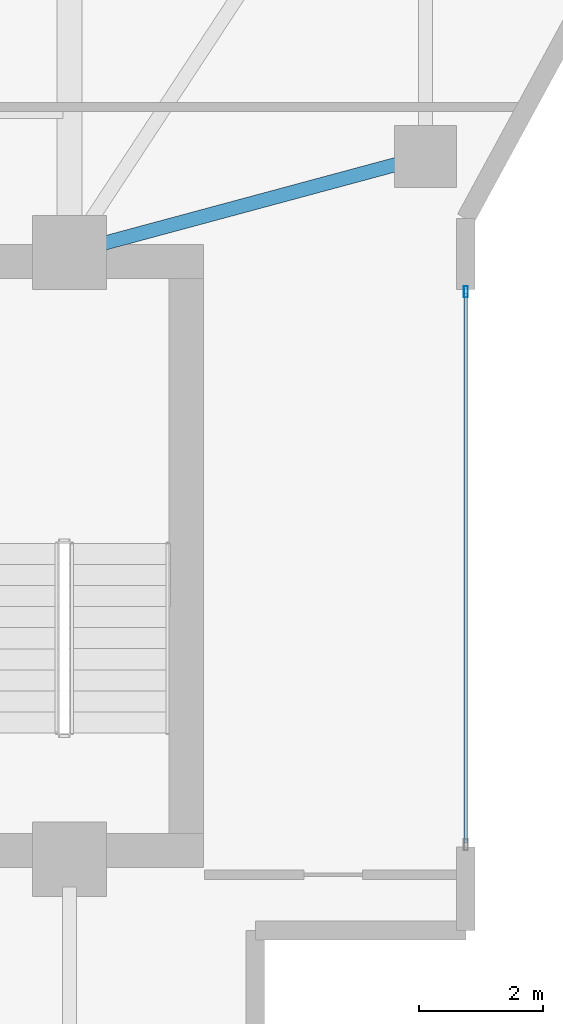
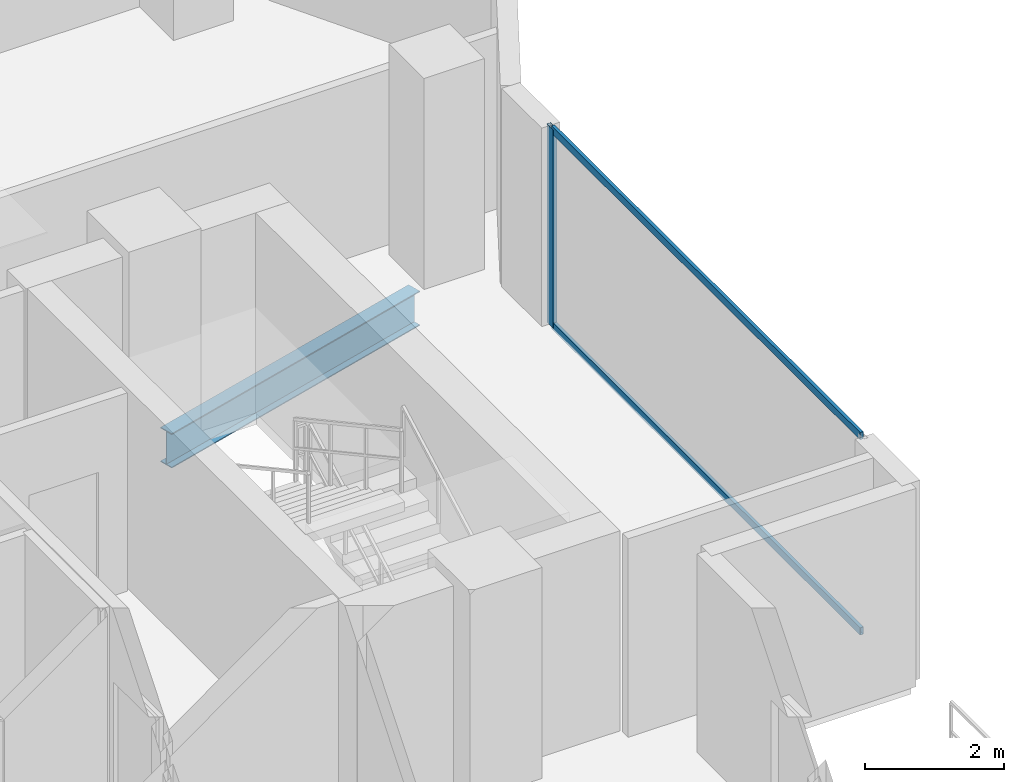
# One storey, part 9 of 25: 3 members, 1 beam, 1 element without a shape of its own.
"""IFC4 building model written with IfcOpenShell, lengths in metres."""

from ifc_helpers import new_model, si_unit, direction, frame, origin, origin_2d, place, context, subcontext, project, spatial, hollow_rectangle, i_section, extrude, material, layer, layer_set, material_profile, profile_set, type_object, element, aggregate, save


model = new_model("IFC4")

# Units and contexts
model_context = context("Model", 3, precision=1e-05, world=origin(), true_north=direction((0.0, 1.0)))
body_context = subcontext(model_context, "Body", "Model", "MODEL_VIEW")
ifc_project = project(units=[si_unit("LENGTHUNIT", "METRE"), si_unit("AREAUNIT", "SQUARE_METRE"), si_unit("VOLUMEUNIT", "CUBIC_METRE"), si_unit("PLANEANGLEUNIT", "RADIAN"), si_unit("MASSUNIT", "GRAM", prefix="KILO")], contexts=[model_context])

# Site, building, storey
site_placement = place(None, origin())
site = spatial("IfcSite", under=ifc_project, at=site_placement, CompositionType="ELEMENT")
building_placement = place(site_placement, origin())
building = spatial("IfcBuilding", under=site, at=building_placement, Name="Zuhayl Quay Hotel", CompositionType="ELEMENT")
storey_placement = place(building_placement, frame((0.0, 0.0, 258.14990234375)))
storey = spatial("IfcBuildingStorey", under=building, at=storey_placement, Name="L65", CompositionType="ELEMENT", Elevation=258.14990234375)

# Beam
ifc_material_1 = material(Name="Steel ASTM A992 Grade 50", Category="steel")
ifc_material_profile_1 = material_profile(ifc_material_1, i_section(OverallWidth=0.22802734375, OverallDepth=0.60693359375, WebThickness=0.01123046875, FlangeThickness=0.017333984375, at=origin_2d()), Name="W24X76")
ifc_profile_set_1 = profile_set([ifc_material_profile_1], Name="Steel ASTM A992 Grade 50")
beam_type = type_object("IfcBeamType", Name="BM_B3_W24X76", PredefinedType="BEAM", material=ifc_profile_set_1)
beam_placement = place(storey_placement, frame((14.234619140625, 14.467041015625, -0.5234375), z_axis=(0.965530205773, 0.26029103277, 0.0), x_axis=(-0.26029103277, 0.965530205773, 0.0)))
element("IfcBeam", 1, at=beam_placement, inside=storey, type_object=beam_type, Name="L65 Floor Beam FG_E_L65_1", PredefinedType="BEAM", context=body_context, shape_type="SweptSolid", body=[
    extrude(i_section(OverallWidth=0.22802734375, OverallDepth=0.60693359375, WebThickness=0.01123046875, FlangeThickness=0.017333984375, at=origin_2d()), origin(), (0.0, 0.0, 1.0), 5.045166015625),
])

# Curtain wall, members
ifc_material_2 = material(Name="Anodised Aluminium 6063-T6", Category="aluminium")
ifc_layer = layer(ifc_material_2, 0.169921875, Name="Anodised Aluminium 6063-T6", Category="aluminium")
ifc_layer_set = layer_set([ifc_layer], Name="Anodised Aluminium 6063-T6")
curtain_wall_type = type_object("IfcCurtainWallType", Name="CW_SYS_Z4", PredefinedType="USERDEFINED", material=ifc_layer_set)
curtain_wall_placement = place(storey_placement, origin())
curtain_wall = element("IfcCurtainWall", 2, at=curtain_wall_placement, inside=storey, type_object=curtain_wall_type, Name="L65 Curtain Wall ENV_L65_E14_CW1", ObjectType="UNITISED CURTAIN WALL", PredefinedType="USERDEFINED")
ifc_material_3 = material(Name="Black-anodised aluminium 6063-T6", Category="aluminium")
ifc_material_profile_2 = material_profile(ifc_material_3, hollow_rectangle(XDim=0.06494140625, YDim=0.179931640625, WallThickness=0.00341796875, at=origin_2d()), Name="ALU180X65")
ifc_profile_set_2 = profile_set([ifc_material_profile_2], Name="Black-anodised aluminium 6063-T6")
member_type_1 = type_object("IfcMemberType", Name="MB_CW_MUL_180", PredefinedType="MULLION", material=ifc_profile_set_2)
member_1_placement = place(storey_placement, frame((20.199951171875, 13.717529296875, 0.0), z_axis=(0.0, 0.0, 1.0), x_axis=(1.0, 0.0, 0.0)))
member_1 = element("IfcMember", 3, at=member_1_placement, type_object=member_type_1, Name="CW-Z4 mullion 1", PredefinedType="MULLION", context=body_context, shape_type="SweptSolid", body=[
    extrude(hollow_rectangle(XDim=0.06494140625, YDim=0.179931640625, WallThickness=0.00341796875, at=origin_2d()), origin(), (0.0, 0.0, 1.0), 3.47998046875),
])
ifc_material_profile_3 = material_profile(ifc_material_3, hollow_rectangle(XDim=0.054931640625, YDim=0.1298828125, WallThickness=0.0029296875, at=origin_2d()), Name="ALU130X55")
ifc_profile_set_3 = profile_set([ifc_material_profile_3], Name="Black-anodised aluminium 6063-T6")
member_type_2 = type_object("IfcMemberType", Name="MB_CW_TRN_130", PredefinedType="USERDEFINED", material=ifc_profile_set_3)
member_2_placement = place(storey_placement, frame((20.199951171875, 13.68505859375, 0.027587890625), z_axis=(0.0, -1.0, 0.0), x_axis=(1.0, 0.0, 0.0)))
member_2 = element("IfcMember", 4, at=member_2_placement, type_object=member_type_2, Name="CW-Z4 transom 1.1", ObjectType="TRANSOM", PredefinedType="USERDEFINED", context=body_context, shape_type="SweptSolid", body=[
    extrude(hollow_rectangle(XDim=0.054931640625, YDim=0.1298828125, WallThickness=0.0029296875, at=origin_2d()), origin(), (0.0, 0.0, 1.0), 8.8701171875),
])
member_3_placement = place(storey_placement, frame((20.199951171875, 13.68505859375, 3.45263671875), z_axis=(0.0, -1.0, 0.0), x_axis=(1.0, 0.0, 0.0)))
member_3 = element("IfcMember", 5, at=member_3_placement, type_object=member_type_2, Name="CW-Z4 transom 1.2", ObjectType="TRANSOM", PredefinedType="USERDEFINED", context=body_context, shape_type="SweptSolid", body=[
    extrude(hollow_rectangle(XDim=0.054931640625, YDim=0.1298828125, WallThickness=0.0029296875, at=origin_2d()), origin(), (0.0, 0.0, 1.0), 8.8701171875),
])
aggregate(curtain_wall, [member_1, member_2, member_3])

save(model, "model.ifc")
